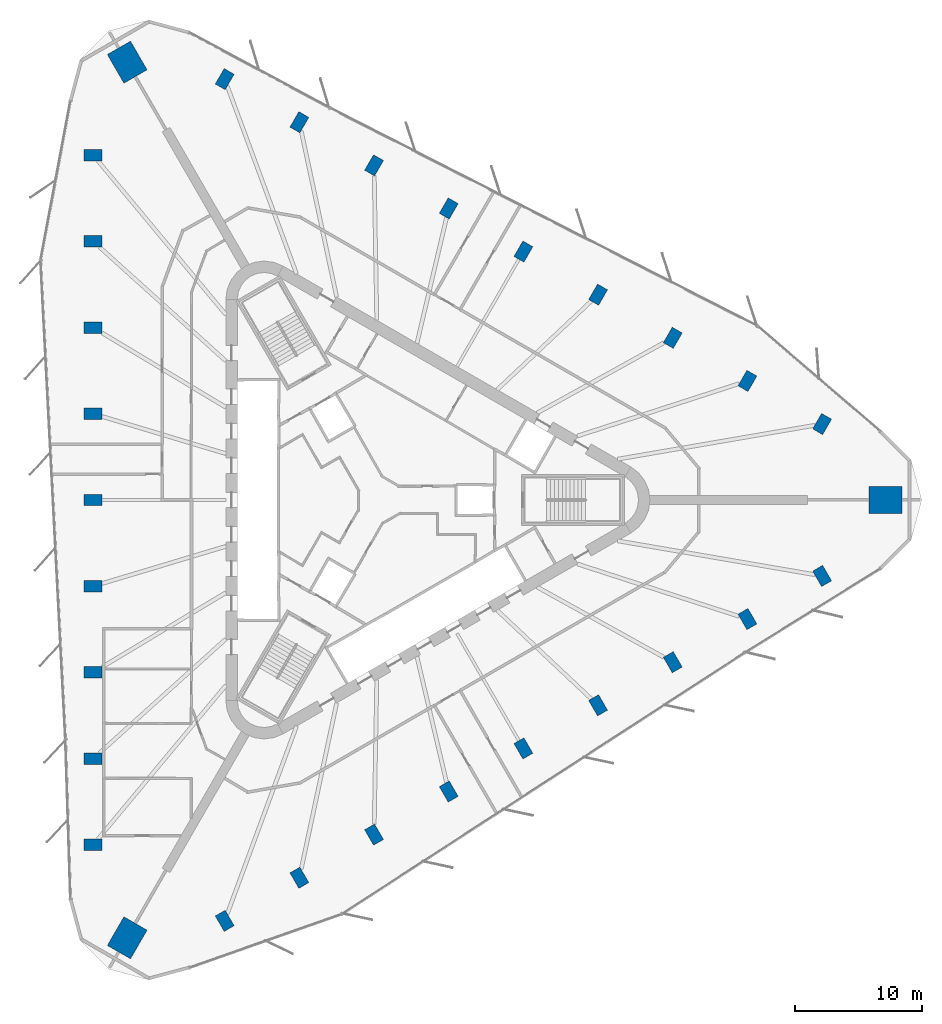
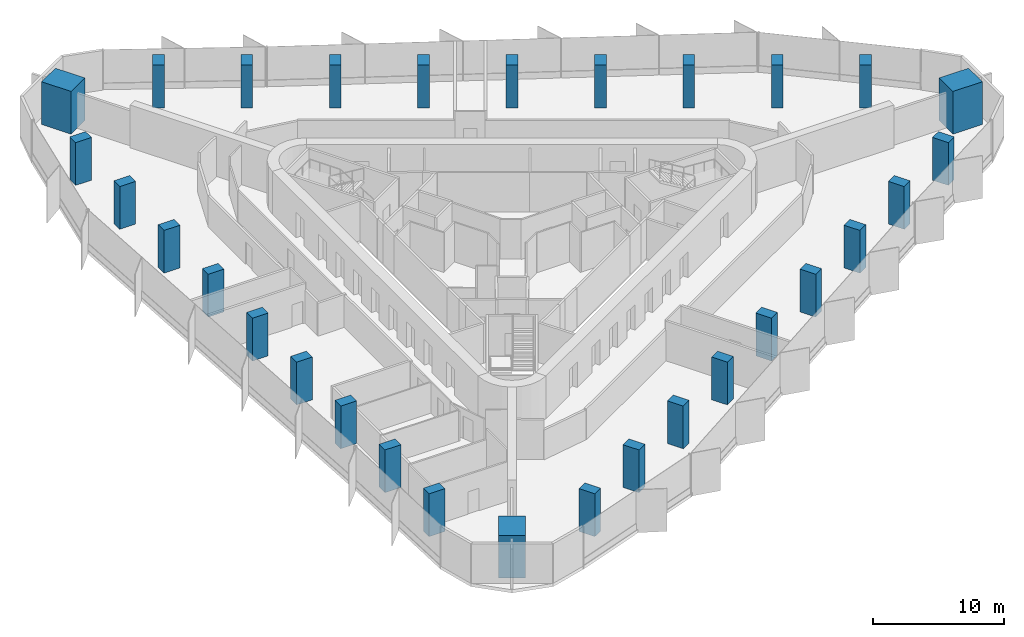
# One storey, part 1 of 13: 30 columns.
"""IFC4 building model written with IfcOpenShell, lengths in metres."""

from ifc_helpers import new_model, si_unit, direction, frame, origin, origin_2d, place, context, subcontext, project, spatial, rectangle, extrude, material, material_profile, profile_set, type_object, element, save


model = new_model("IFC4")

# Units and contexts
model_context = context("Model", 3, precision=1e-05, world=origin(), true_north=direction((0.0, 1.0)))
body_context = subcontext(model_context, "Body", "Model", "MODEL_VIEW")
ifc_project = project(units=[si_unit("LENGTHUNIT", "METRE"), si_unit("AREAUNIT", "SQUARE_METRE"), si_unit("VOLUMEUNIT", "CUBIC_METRE"), si_unit("PLANEANGLEUNIT", "RADIAN"), si_unit("MASSUNIT", "GRAM", prefix="KILO")], contexts=[model_context])

# Site, building, storey
site_placement = place(None, origin())
site = spatial("IfcSite", under=ifc_project, at=site_placement, CompositionType="ELEMENT")
building_placement = place(site_placement, origin())
building = spatial("IfcBuilding", under=site, at=building_placement, Name="Tanit Gate Tower", CompositionType="ELEMENT")
storey_placement = place(building_placement, frame((0.0, 0.0, 177.199951171875)))
storey = spatial("IfcBuildingStorey", under=building, at=storey_placement, Name="L38", CompositionType="ELEMENT", Elevation=177.199951171875)

# Columns
ifc_material_1 = material(Name="Concrete C60/75", Category="concrete")
ifc_material_profile_1 = material_profile(ifc_material_1, rectangle(XDim=2.60009765625, YDim=2.10009765625, at=origin_2d()), Name="RC 2600x2100")
ifc_profile_set_1 = profile_set([ifc_material_profile_1], Name="Concrete C60/75")
column_type_1 = type_object("IfcColumnType", Name="MEGA COLUMN 2600x2100 C60/75", PredefinedType="COLUMN", material=ifc_profile_set_1)
for number, where, z_axis, x_axis, name in (
    (1, (39.697998046875, 0.0, 0.0), (0.0, 0.0, 1.0), (1.0, 0.0, 0.0), "MEGA COLUMN"),
    (2, (-19.84912109375, 34.37939453125, 0.0), (0.0, 0.0, 1.0), (-0.5, 0.866025403784, 0.0), "MEGA COLUMN"),
    (3, (-19.84912109375, -34.37939453125, 0.0), (0.0, 0.0, 1.0), (-0.5, -0.866025403784, 0.0), "MEGA COLUMN"),
):
    element("IfcColumn", number, at=place(storey_placement, frame(where, z_axis=z_axis, x_axis=x_axis)), inside=storey, type_object=column_type_1, Name=name, PredefinedType="COLUMN", context=body_context, shape_type="SweptSolid", body=[
        extrude(rectangle(XDim=2.60009765625, YDim=2.10009765625, at=origin_2d()), origin(), (0.0, 0.0, 1.0), 4.0),
    ])
ifc_material_2 = material(Name="Concrete C50/60", Category="concrete")
ifc_material_profile_2 = material_profile(ifc_material_2, rectangle(XDim=1.39990234375, YDim=0.89990234375, at=origin_2d()), Name="RC 1400x900")
ifc_profile_set_2 = profile_set([ifc_material_profile_2], Name="Concrete C50/60")
column_type_2 = type_object("IfcColumnType", Name="PERIMETER COLUMN 1400x900 C50/60", PredefinedType="COLUMN", material=ifc_profile_set_2)
for number, where, z_axis, x_axis, name in (
    (4, (-22.523681640625, 27.083984375, 0.0), (0.0, 0.0, 1.0), (-1.0, 0.0, 0.0), "PERIMETER COLUMN"),
    (5, (-22.523681640625, 20.31298828125, 0.0), (0.0, 0.0, 1.0), (-1.0, 0.0, 0.0), "PERIMETER COLUMN"),
    (6, (-22.523681640625, 13.5419921875, 0.0), (0.0, 0.0, 1.0), (-1.0, 0.0, 0.0), "PERIMETER COLUMN"),
    (7, (-22.523681640625, 6.77099609375, 0.0), (0.0, 0.0, 1.0), (-1.0, 0.0, 0.0), "PERIMETER COLUMN"),
    (8, (-22.523681640625, 0.0, 0.0), (0.0, 0.0, 1.0), (-1.0, 0.0, 0.0), "PERIMETER COLUMN"),
    (9, (-22.523681640625, -6.77099609375, 0.0), (0.0, 0.0, 1.0), (-1.0, 0.0, 0.0), "PERIMETER COLUMN"),
    (10, (-22.523681640625, -13.5419921875, 0.0), (0.0, 0.0, 1.0), (-1.0, 0.0, 0.0), "PERIMETER COLUMN"),
    (11, (-22.523681640625, -20.31298828125, 0.0), (0.0, 0.0, 1.0), (-1.0, 0.0, 0.0), "PERIMETER COLUMN"),
    (12, (-22.523681640625, -27.083984375, 0.0), (0.0, 0.0, 1.0), (-1.0, 0.0, 0.0), "PERIMETER COLUMN"),
    (13, (34.71728515625, 5.964111328125, 0.0), (0.0, 0.0, 1.0), (0.5, 0.866025403784, 0.0), "PERIMETER COLUMN"),
    (14, (28.853271484375, 9.349609375, 0.0), (0.0, 0.0, 1.0), (0.5, 0.866025403784, 0.0), "PERIMETER COLUMN"),
    (15, (22.989501953125, 12.735107421875, 0.0), (0.0, 0.0, 1.0), (0.5, 0.866025403784, 0.0), "PERIMETER COLUMN"),
    (16, (17.12548828125, 16.12060546875, 0.0), (0.0, 0.0, 1.0), (0.5, 0.866025403784, 0.0), "PERIMETER COLUMN"),
    (17, (11.26171875, 19.506103515625, 0.0), (0.0, 0.0, 1.0), (0.5, 0.866025403784, 0.0), "PERIMETER COLUMN"),
    (18, (5.39794921875, 22.8916015625, 0.0), (0.0, 0.0, 1.0), (0.5, 0.866025403784, 0.0), "PERIMETER COLUMN"),
    (19, (-0.4658203125, 26.277099609375, 0.0), (0.0, 0.0, 1.0), (0.5, 0.866025403784, 0.0), "PERIMETER COLUMN"),
    (20, (-6.32958984375, 29.66259765625, 0.0), (0.0, 0.0, 1.0), (0.5, 0.866025403784, 0.0), "PERIMETER COLUMN"),
    (21, (-12.193603515625, 33.0478515625, 0.0), (0.0, 0.0, 1.0), (0.5, 0.866025403784, 0.0), "PERIMETER COLUMN"),
    (22, (-12.193603515625, -33.0478515625, 0.0), (0.0, 0.0, 1.0), (0.5, -0.866025403784, 0.0), "PERIMETER COLUMN"),
    (23, (-6.32958984375, -29.66259765625, 0.0), (0.0, 0.0, 1.0), (0.5, -0.866025403784, 0.0), "PERIMETER COLUMN"),
    (24, (-0.4658203125, -26.277099609375, 0.0), (0.0, 0.0, 1.0), (0.5, -0.866025403784, 0.0), "PERIMETER COLUMN"),
    (25, (5.39794921875, -22.8916015625, 0.0), (0.0, 0.0, 1.0), (0.5, -0.866025403784, 0.0), "PERIMETER COLUMN"),
    (26, (11.26171875, -19.506103515625, 0.0), (0.0, 0.0, 1.0), (0.5, -0.866025403784, 0.0), "PERIMETER COLUMN"),
    (27, (17.12548828125, -16.12060546875, 0.0), (0.0, 0.0, 1.0), (0.5, -0.866025403784, 0.0), "PERIMETER COLUMN"),
    (28, (22.989501953125, -12.735107421875, 0.0), (0.0, 0.0, 1.0), (0.5, -0.866025403784, 0.0), "PERIMETER COLUMN"),
    (29, (28.853271484375, -9.349609375, 0.0), (0.0, 0.0, 1.0), (0.5, -0.866025403784, 0.0), "PERIMETER COLUMN"),
    (30, (34.71728515625, -5.964111328125, 0.0), (0.0, 0.0, 1.0), (0.5, -0.866025403784, 0.0), "PERIMETER COLUMN"),
):
    element("IfcColumn", number, at=place(storey_placement, frame(where, z_axis=z_axis, x_axis=x_axis)), inside=storey, type_object=column_type_2, Name=name, PredefinedType="COLUMN", context=body_context, shape_type="SweptSolid", body=[
        extrude(rectangle(XDim=1.39990234375, YDim=0.89990234375, at=origin_2d()), origin(), (0.0, 0.0, 1.0), 4.0),
    ])

save(model, "model.ifc")
